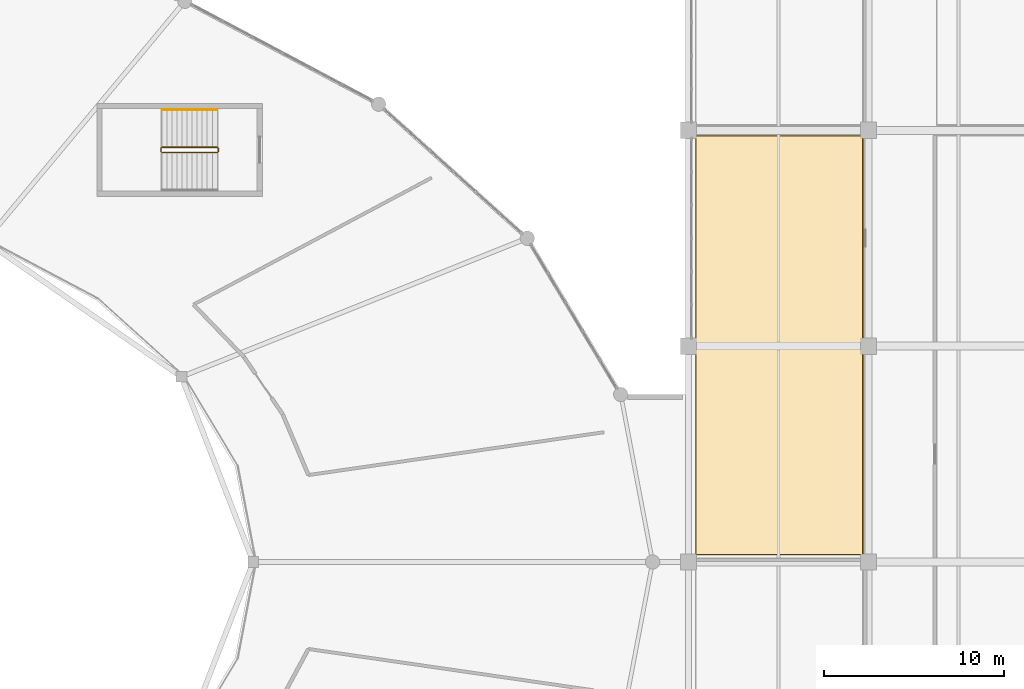
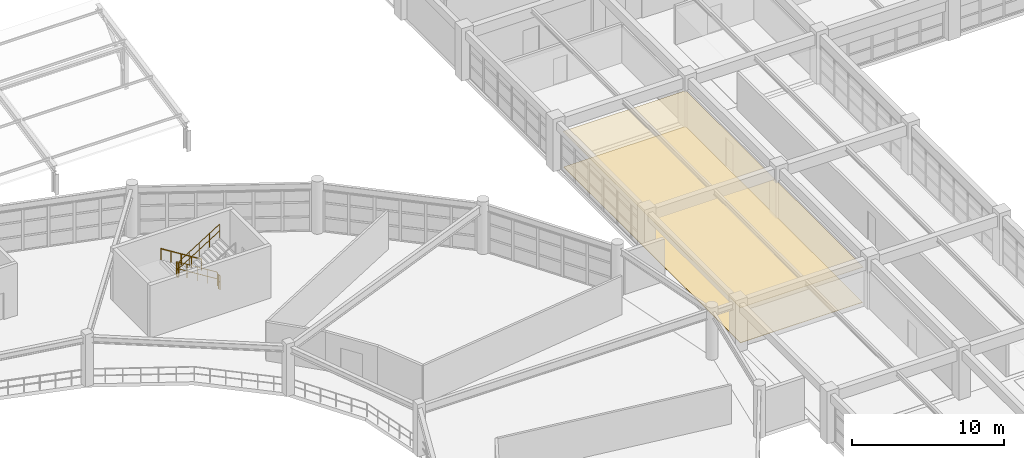
# One storey, part 94 of 100: 5 railings, 2 coverings.
"""IFC4 building model written with IfcOpenShell, lengths in metres."""

from ifc_helpers import new_model, si_unit, direction, frame, origin, origin_2d, place, context, subcontext, project, spatial, polyline, circle, outline, extrude, material, layer, layer_set, type_object, element, save


model = new_model("IFC4")

# Units and contexts
model_context = context("Model", 3, precision=1e-05, world=origin(), true_north=direction((0.0, 1.0)))
body_context = subcontext(model_context, "Body", "Model", "MODEL_VIEW")
ifc_project = project(units=[si_unit("LENGTHUNIT", "METRE"), si_unit("AREAUNIT", "SQUARE_METRE"), si_unit("VOLUMEUNIT", "CUBIC_METRE"), si_unit("PLANEANGLEUNIT", "RADIAN"), si_unit("MASSUNIT", "GRAM", prefix="KILO")], contexts=[model_context])

# Site, building, storey
site_placement = place(None, origin())
site = spatial("IfcSite", under=ifc_project, at=site_placement, CompositionType="ELEMENT")
building_placement = place(site_placement, origin())
building = spatial("IfcBuilding", under=site, at=building_placement, Name="Kivolera Central Railway Station", CompositionType="ELEMENT")
storey_placement = place(building_placement, frame((0.0, 0.0, 5.39990234375)))
storey = spatial("IfcBuildingStorey", under=building, at=storey_placement, Name="L01", CompositionType="ELEMENT", Elevation=5.39990234375)

# Coverings
ifc_material_1 = material(Name="Mineral fibre acoustic tile")
ifc_layer_1 = layer(ifc_material_1, 0.02001953125, Name="Mineral fibre acoustic tile")
ifc_layer_set_1 = layer_set([ifc_layer_1], Name="Mineral fibre acoustic tile")
covering_type_1 = type_object("IfcCoveringType", Name="COV-CEIL-20", PredefinedType="CEILING", material=ifc_layer_set_1)
covering_1_placement = place(storey_placement, frame((0.0, 0.0, 2.85009765625)))
element("IfcCovering", 1, at=covering_1_placement, inside=storey, type_object=covering_type_1, Name="L01 Ticketing Systems Support Office Acoustic Ceiling", PredefinedType="CEILING", context=body_context, shape_type="SweptSolid", body=[
    extrude(outline(polyline([(118.3798828125, 90.3798828125), (127.719970703125, 90.3798828125), (127.719970703125, 113.719970703125), (118.3798828125, 113.719970703125), (118.3798828125, 90.3798828125)])), origin(), (0.0, 0.0, 1.0), 0.02001953125),
])
ifc_material_2 = material(Name="Swahili coral limestone", Category="masonry")
ifc_layer_2 = layer(ifc_material_2, 0.030029296875, Name="Swahili coral limestone")
ifc_layer_set_2 = layer_set([ifc_layer_2], Name="Swahili coral limestone")
covering_type_2 = type_object("IfcCoveringType", Name="COV-FLR-30", PredefinedType="FLOORING", material=ifc_layer_set_2)
covering_2_placement = place(storey_placement, origin())
element("IfcCovering", 2, at=covering_2_placement, inside=storey, type_object=covering_type_2, Name="L01 Ticketing Systems Support Office Floor Finish", PredefinedType="FLOORING", context=body_context, shape_type="SweptSolid", body=[
    extrude(outline(polyline([(118.419921875, 90.419921875), (127.679931640625, 90.419921875), (127.679931640625, 113.679931640625), (118.419921875, 113.679931640625), (118.419921875, 90.419921875)])), origin(), (0.0, 0.0, 1.0), 0.030029296875),
])

# Railings
ifc_material_3 = material(Name="Anodised aluminium", Category="aluminium")
ifc_layer_3 = layer(ifc_material_3, 0.048095703125, Name="Anodised aluminium")
ifc_layer_set_3 = layer_set([ifc_layer_3], Name="Anodised aluminium")
railing_type_1 = type_object("IfcRailingType", Name="RL-STAIR-GUARD", PredefinedType="GUARDRAIL", material=ifc_layer_set_3)
railing_1_placement = place(storey_placement, frame((91.800048828125, 113.050048828125, 0.175048828125)))
element("IfcRailing", 3, at=railing_1_placement, inside=storey, type_object=railing_type_1, Name="L01 ST7 stair guard 1", PredefinedType="GUARDRAIL", context=body_context, shape_type="SweptSolid", body=[
    extrude(circle(Radius=0.02392578125, at=origin_2d()), frame((0.0, 0.0, 1.10595703125), z_axis=(-0.847998304005, 0.0, 0.529998940003), x_axis=(0.0, -1.0, 0.0)), (0.0, 0.0, 1.0), 3.632080078125),
    extrude(circle(Radius=0.02392578125, at=origin_2d()), frame((0.0, 0.0, 0.56494140625), z_axis=(-0.847998304005, 0.0, 0.529998940003), x_axis=(0.0, -1.0, 0.0)), (0.0, 0.0, 1.0), 3.632080078125),
    extrude(circle(Radius=0.02099609375, at=origin_2d()), origin(), (0.0, 0.0, 1.0), 1.081787109375),
    extrude(circle(Radius=0.02099609375, at=origin_2d()), frame((-0.77001953125, 0.0, 0.481201171875)), (0.0, 0.0, 1.0), 1.081787109375),
    extrude(circle(Radius=0.02099609375, at=origin_2d()), frame((-1.5400390625, 0.0, 0.96240234375)), (0.0, 0.0, 1.0), 1.081787109375),
    extrude(circle(Radius=0.02099609375, at=origin_2d()), frame((-2.31005859375, 0.0, 1.44384765625)), (0.0, 0.0, 1.0), 1.081787109375),
    extrude(circle(Radius=0.02099609375, at=origin_2d()), frame((-3.080078125, 0.0, 1.925048828125)), (0.0, 0.0, 1.0), 1.081787109375),
])
railing_2_placement = place(storey_placement, frame((88.669921875, 113.0, 2.10009765625)))
element("IfcRailing", 4, at=railing_2_placement, inside=storey, type_object=railing_type_1, Name="L01 ST7 stair guard 2", PredefinedType="GUARDRAIL", context=body_context, shape_type="SweptSolid", body=[
    extrude(circle(Radius=0.02392578125, at=origin_2d()), frame((0.0, 0.0, 1.10595703125), z_axis=(0.0, -1.0, 0.0), x_axis=(1.0, 0.0, 0.0)), (0.0, 0.0, 1.0), 0.179931640625),
    extrude(circle(Radius=0.02392578125, at=origin_2d()), frame((0.0, 0.0, 0.56494140625), z_axis=(0.0, -1.0, 0.0), x_axis=(1.0, 0.0, 0.0)), (0.0, 0.0, 1.0), 0.179931640625),
    extrude(circle(Radius=0.02099609375, at=origin_2d()), origin(), (0.0, 0.0, 1.0), 1.081787109375),
    extrude(circle(Radius=0.02099609375, at=origin_2d()), frame((0.0, -0.179931640625, 0.0)), (0.0, 0.0, 1.0), 1.081787109375),
])
railing_3_placement = place(storey_placement, frame((88.719970703125, 112.77001953125, 2.275146484375)))
element("IfcRailing", 5, at=railing_3_placement, inside=storey, type_object=railing_type_1, Name="L01 ST7 stair guard 3", PredefinedType="GUARDRAIL", context=body_context, shape_type="SweptSolid", body=[
    extrude(circle(Radius=0.02392578125, at=origin_2d()), frame((0.0, 0.0, 1.10595703125), z_axis=(0.847998304005, 0.0, 0.529998940003), x_axis=(0.0, 1.0, 0.0)), (0.0, 0.0, 1.0), 3.632080078125),
    extrude(circle(Radius=0.02392578125, at=origin_2d()), frame((0.0, 0.0, 0.56494140625), z_axis=(0.847998304005, 0.0, 0.529998940003), x_axis=(0.0, 1.0, 0.0)), (0.0, 0.0, 1.0), 3.632080078125),
    extrude(circle(Radius=0.02099609375, at=origin_2d()), origin(), (0.0, 0.0, 1.0), 1.081787109375),
    extrude(circle(Radius=0.02099609375, at=origin_2d()), frame((0.77001953125, 0.0, 0.481201171875)), (0.0, 0.0, 1.0), 1.081787109375),
    extrude(circle(Radius=0.02099609375, at=origin_2d()), frame((1.5400390625, 0.0, 0.96240234375)), (0.0, 0.0, 1.0), 1.081787109375),
    extrude(circle(Radius=0.02099609375, at=origin_2d()), frame((2.31005859375, 0.0, 1.44384765625)), (0.0, 0.0, 1.0), 1.081787109375),
    extrude(circle(Radius=0.02099609375, at=origin_2d()), frame((3.080078125, 0.0, 1.925048828125)), (0.0, 0.0, 1.0), 1.081787109375),
])
railing_4_placement = place(storey_placement, frame((91.85009765625, 113.0, 0.0)))
element("IfcRailing", 6, at=railing_4_placement, inside=storey, type_object=railing_type_1, Name="L01 ST7 stair guard 4", PredefinedType="GUARDRAIL", context=body_context, shape_type="SweptSolid", body=[
    extrude(circle(Radius=0.02392578125, at=origin_2d()), frame((0.0, 0.0, 1.10595703125), z_axis=(0.0, -1.0, 0.0), x_axis=(1.0, 0.0, 0.0)), (0.0, 0.0, 1.0), 0.179931640625),
    extrude(circle(Radius=0.02392578125, at=origin_2d()), frame((0.0, 0.0, 0.56494140625), z_axis=(0.0, -1.0, 0.0), x_axis=(1.0, 0.0, 0.0)), (0.0, 0.0, 1.0), 0.179931640625),
    extrude(circle(Radius=0.02099609375, at=origin_2d()), origin(), (0.0, 0.0, 1.0), 1.081787109375),
    extrude(circle(Radius=0.02099609375, at=origin_2d()), frame((0.0, -0.179931640625, 0.0)), (0.0, 0.0, 1.0), 1.081787109375),
])
ifc_layer_4 = layer(ifc_material_3, 0.048095703125, Name="Anodised aluminium")
ifc_layer_set_4 = layer_set([ifc_layer_4], Name="Anodised aluminium")
railing_type_2 = type_object("IfcRailingType", Name="RL-STAIR-HAND", PredefinedType="HANDRAIL", material=ifc_layer_set_4)
railing_5_placement = place(storey_placement, frame((91.800048828125, 115.14990234375, 0.175048828125)))
element("IfcRailing", 7, at=railing_5_placement, inside=storey, type_object=railing_type_2, Name="L01 ST7 stair handrail 1", PredefinedType="HANDRAIL", context=body_context, shape_type="SweptSolid", body=[
    extrude(circle(Radius=0.02392578125, at=origin_2d()), frame((0.0, 0.0, 0.8759765625), z_axis=(-0.847998304005, 0.0, 0.529998940003), x_axis=(0.0, -1.0, 0.0)), (0.0, 0.0, 1.0), 3.632080078125),
    extrude(circle(Radius=0.02099609375, at=origin_2d()), origin(), (0.0, 0.0, 1.0), 0.851806640625),
    extrude(circle(Radius=0.02099609375, at=origin_2d()), frame((-0.77001953125, 0.0, 0.481201171875)), (0.0, 0.0, 1.0), 0.851806640625),
    extrude(circle(Radius=0.02099609375, at=origin_2d()), frame((-1.5400390625, 0.0, 0.96240234375)), (0.0, 0.0, 1.0), 0.851806640625),
    extrude(circle(Radius=0.02099609375, at=origin_2d()), frame((-2.31005859375, 0.0, 1.44384765625)), (0.0, 0.0, 1.0), 0.851806640625),
    extrude(circle(Radius=0.02099609375, at=origin_2d()), frame((-3.080078125, 0.0, 1.925048828125)), (0.0, 0.0, 1.0), 0.851806640625),
])

save(model, "model.ifc")
